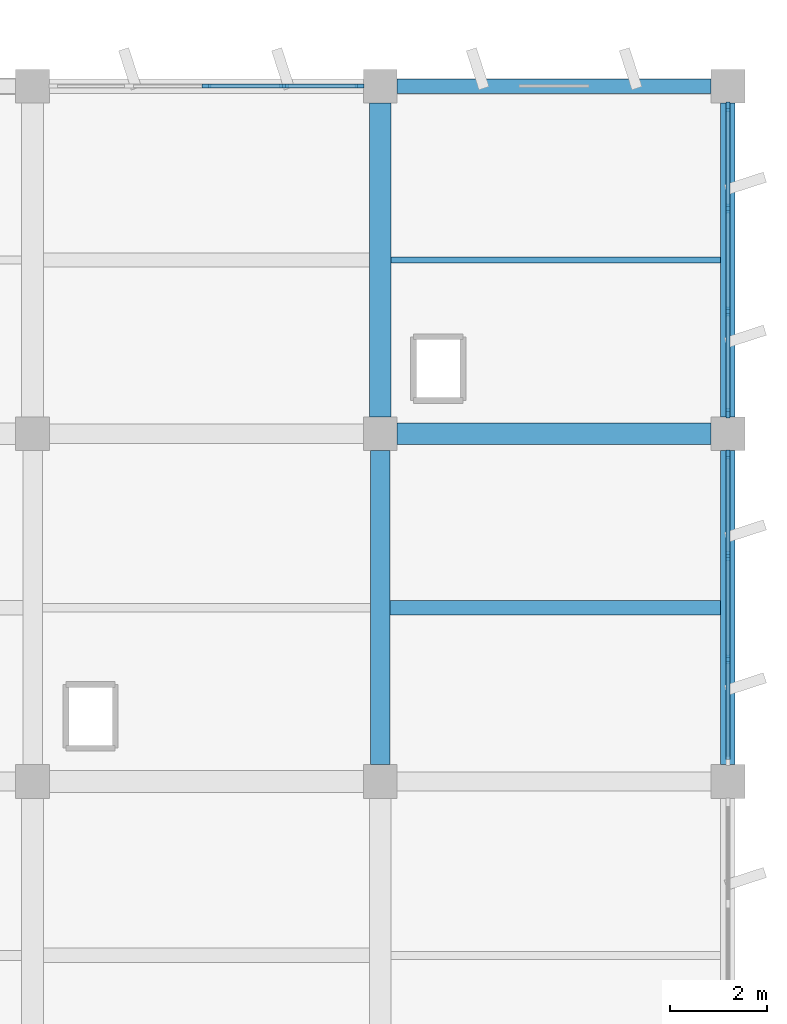
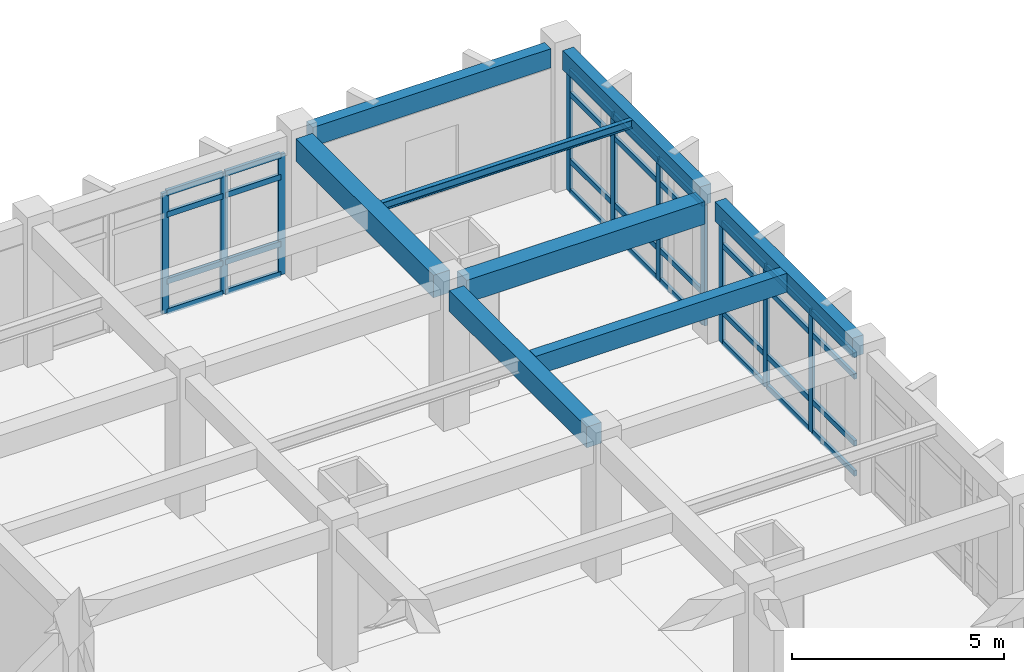
# One storey, part 28 of 70: 43 members, 7 beams, 3 elements without a shape of their own.
"""IFC4 building model written with IfcOpenShell, lengths in metres."""

from ifc_helpers import new_model, si_unit, direction, frame, origin, origin_2d, place, context, subcontext, project, spatial, rectangle, i_section, extrude, material, layer, layer_set, material_profile, profile_set, type_object, element, aggregate, save


model = new_model("IFC4")

# Units and contexts
model_context = context("Model", 3, precision=1e-05, world=origin(), true_north=direction((0.0, 1.0)))
body_context = subcontext(model_context, "Body", "Model", "MODEL_VIEW")
ifc_project = project(units=[si_unit("LENGTHUNIT", "METRE"), si_unit("AREAUNIT", "SQUARE_METRE"), si_unit("VOLUMEUNIT", "CUBIC_METRE"), si_unit("PLANEANGLEUNIT", "RADIAN"), si_unit("MASSUNIT", "GRAM", prefix="KILO")], contexts=[model_context])

# Site, building, storey
site_placement = place(None, origin())
site = spatial("IfcSite", under=ifc_project, at=site_placement, CompositionType="ELEMENT")
building_placement = place(site_placement, origin())
building = spatial("IfcBuilding", under=site, at=building_placement, Name="Kavelor Marine Aquarium", CompositionType="ELEMENT")
storey_placement = place(building_placement, frame((0.0, 0.0, 9.179931640625)))
storey = spatial("IfcBuildingStorey", under=building, at=storey_placement, Name="L02", CompositionType="ELEMENT", Elevation=9.179931640625)

# Beams
ifc_material_1 = material(Name="Concrete C40/50", Category="concrete")
ifc_material_profile_1 = material_profile(ifc_material_1, rectangle(XDim=0.449951171875, YDim=0.64990234375, at=origin_2d()), Name="RC-BM 450x650")
ifc_profile_set_1 = profile_set([ifc_material_profile_1], Name="Concrete C40/50")
beam_type_1 = type_object("IfcBeamType", Name="BM-B3", PredefinedType="BEAM", material=ifc_profile_set_1)
for number, where, z_axis, x_axis, name in (
    (1, (147.550048828125, 103.60009765625, 3.715087890625), (1.0, 0.0, 0.0), (0.0, 1.0, 0.0), "bm:x:L02:L03:20_14"),
    (2, (147.199951171875, 103.949951171875, 3.715087890625), (0.0, 1.0, 0.0), (-1.0, 0.0, 0.0), "bm:y:L02:L03:20_14"),
):
    element("IfcBeam", number, at=place(storey_placement, frame(where, z_axis=z_axis, x_axis=x_axis)), inside=storey, type_object=beam_type_1, Name=name, PredefinedType="BEAM", context=body_context, shape_type="SweptSolid", body=[
        extrude(rectangle(XDim=0.449951171875, YDim=0.64990234375, at=origin_2d()), origin(), (0.0, 0.0, 1.0), 6.5),
    ])
ifc_material_2 = material(Name="Concrete C40/50", Category="concrete")
ifc_material_profile_2 = material_profile(ifc_material_2, rectangle(XDim=0.39990234375, YDim=0.60009765625, at=origin_2d()), Name="RC-BM 400x600")
ifc_profile_set_2 = profile_set([ifc_material_profile_2], Name="Concrete C40/50")
beam_type_2 = type_object("IfcBeamType", Name="BM-B4", PredefinedType="BEAM", material=ifc_profile_set_2)
beam_1_placement = place(storey_placement, frame((147.199951171875, 96.75, 3.719970703125), z_axis=(0.0, 1.0, 0.0), x_axis=(-1.0, 0.0, 0.0)))
element("IfcBeam", 3, at=beam_1_placement, inside=storey, type_object=beam_type_2, Name="bm:y:L02:L03:20_13", PredefinedType="BEAM", context=body_context, shape_type="SweptSolid", body=[
    extrude(rectangle(XDim=0.39990234375, YDim=0.60009765625, at=origin_2d()), origin(), (0.0, 0.0, 1.0), 6.5),
])
ifc_material_3 = material(Name="Concrete C40/50", Category="concrete")
ifc_material_profile_3 = material_profile(ifc_material_3, rectangle(XDim=0.300048828125, YDim=0.550048828125, at=origin_2d()), Name="RC-JS 300x550")
ifc_profile_set_3 = profile_set([ifc_material_profile_3], Name="Concrete C40/50")
beam_type_3 = type_object("IfcBeamType", Name="BM-JS2", PredefinedType="JOIST", material=ifc_profile_set_3)
beam_2_placement = place(storey_placement, frame((147.39990234375, 100.0, 3.76513671875), z_axis=(1.0, 0.0, 0.0), x_axis=(0.0, 1.0, 0.0)))
element("IfcBeam", 4, at=beam_2_placement, inside=storey, type_object=beam_type_3, Name="js:L02:L03:20_13", PredefinedType="JOIST", context=body_context, shape_type="SweptSolid", body=[
    extrude(rectangle(XDim=0.300048828125, YDim=0.550048828125, at=origin_2d()), origin(), (0.0, 0.0, 1.0), 6.85009765625),
])
ifc_material_4 = material(Name="Concrete C40/50", Category="concrete")
ifc_material_profile_4 = material_profile(ifc_material_4, rectangle(XDim=0.300048828125, YDim=0.550048828125, at=origin_2d()), Name="RC-SP 300x550")
ifc_profile_set_4 = profile_set([ifc_material_profile_4], Name="Concrete C40/50")
beam_type_4 = type_object("IfcBeamType", Name="BM-SP2", PredefinedType="SPANDREL", material=ifc_profile_set_4)
for number, where, z_axis, x_axis, name in (
    (5, (147.550048828125, 110.800048828125, 3.76513671875), (1.0, 0.0, 0.0), (0.0, 1.0, 0.0), "bm:x:L02:L03:20_15"),
    (6, (154.39990234375, 96.75, 3.76513671875), (0.0, 1.0, 0.0), (-1.0, 0.0, 0.0), "bm:y:L02:L03:21_13"),
    (7, (154.39990234375, 103.949951171875, 3.76513671875), (0.0, 1.0, 0.0), (-1.0, 0.0, 0.0), "bm:y:L02:L03:21_14"),
):
    element("IfcBeam", number, at=place(storey_placement, frame(where, z_axis=z_axis, x_axis=x_axis)), inside=storey, type_object=beam_type_4, Name=name, PredefinedType="SPANDREL", context=body_context, shape_type="SweptSolid", body=[
        extrude(rectangle(XDim=0.300048828125, YDim=0.550048828125, at=origin_2d()), origin(), (0.0, 0.0, 1.0), 6.5),
    ])

# Curtain wall, members
ifc_material_5 = material(Name="Thermally Broken Aluminium and Low-E Glass", Category="aluminium")
ifc_layer_1 = layer(ifc_material_5, 0.22802734375)
ifc_layer_set_1 = layer_set([ifc_layer_1], Name="CW-SYS11")
curtain_wall_type_1 = type_object("IfcCurtainWallType", Name="CW-SYS11", PredefinedType="USERDEFINED", material=ifc_layer_set_1)
curtain_wall_1_placement = place(storey_placement, origin())
curtain_wall_1 = element("IfcCurtainWall", 8, at=curtain_wall_1_placement, inside=storey, type_object=curtain_wall_type_1, Name="cw:x:L02:19_15", ObjectType="Curtain Wall", PredefinedType="USERDEFINED")
ifc_material_6 = material(Name="Anodised Aluminium Alloy 6063-T6", Category="aluminium")
ifc_material_profile_5 = material_profile(ifc_material_6, rectangle(XDim=0.080078125, YDim=0.18505859375, at=origin_2d()), Name="CW-MUL 80x185")
ifc_profile_set_5 = profile_set([ifc_material_profile_5], Name="Anodised Aluminium Alloy 6063-T6")
member_type_1 = type_object("IfcMemberType", Name="CWM-2", PredefinedType="MULLION", material=ifc_profile_set_5)
member_1_placement = place(storey_placement, frame((143.60009765625, 110.800048828125, 0.0), z_axis=(0.0, 0.0, 1.0), x_axis=(0.0, 1.0, 0.0)))
member_1 = element("IfcMember", 9, at=member_1_placement, type_object=member_type_1, Name="CW11 mullion 3", PredefinedType="MULLION", context=body_context, shape_type="SweptSolid", body=[
    extrude(rectangle(XDim=0.080078125, YDim=0.18505859375, at=origin_2d()), origin(), (0.0, 0.0, 1.0), 3.47998046875),
])
member_2_placement = place(storey_placement, frame((145.202392578125, 110.800048828125, 0.0), z_axis=(0.0, 0.0, 1.0), x_axis=(0.0, 1.0, 0.0)))
member_2 = element("IfcMember", 10, at=member_2_placement, type_object=member_type_1, Name="CW11 mullion 4", PredefinedType="MULLION", context=body_context, shape_type="SweptSolid", body=[
    extrude(rectangle(XDim=0.080078125, YDim=0.18505859375, at=origin_2d()), origin(), (0.0, 0.0, 1.0), 3.47998046875),
])
member_3_placement = place(storey_placement, frame((146.7724609375, 110.800048828125, 0.0), z_axis=(0.0, 0.0, 1.0), x_axis=(0.0, 1.0, 0.0)))
member_3 = element("IfcMember", 11, at=member_3_placement, type_object=member_type_1, Name="CW11 mullion 5", PredefinedType="MULLION", context=body_context, shape_type="SweptSolid", body=[
    extrude(rectangle(XDim=0.080078125, YDim=0.18505859375, at=origin_2d()), origin(), (0.0, 0.0, 1.0), 3.47998046875),
])

ifc_material_7 = material(Name="Thermally Broken Aluminium and Low-E Glass", Category="aluminium")
ifc_layer_2 = layer(ifc_material_7, 0.300048828125)
ifc_layer_set_2 = layer_set([ifc_layer_2], Name="CW-SYS20")
curtain_wall_type_2 = type_object("IfcCurtainWallType", Name="CW-SYS20", PredefinedType="USERDEFINED", material=ifc_layer_set_2)
curtain_wall_2_placement = place(storey_placement, origin())
curtain_wall_2 = element("IfcCurtainWall", 12, at=curtain_wall_2_placement, inside=storey, type_object=curtain_wall_type_2, Name="cw:y:L02:21_13", ObjectType="Curtain Wall", PredefinedType="USERDEFINED")
member_4_placement = place(storey_placement, frame((154.39990234375, 98.931640625, 0.0), z_axis=(0.0, 0.0, 1.0), x_axis=(-1.0, 0.0, 0.0)))
member_4 = element("IfcMember", 13, at=member_4_placement, type_object=member_type_1, Name="CW20 mullion 2", PredefinedType="MULLION", context=body_context, shape_type="SweptSolid", body=[
    extrude(rectangle(XDim=0.080078125, YDim=0.18505859375, at=origin_2d()), origin(), (0.0, 0.0, 1.0), 3.47998046875),
])
member_5_placement = place(storey_placement, frame((154.39990234375, 101.068359375, 0.0), z_axis=(0.0, 0.0, 1.0), x_axis=(-1.0, 0.0, 0.0)))
member_5 = element("IfcMember", 14, at=member_5_placement, type_object=member_type_1, Name="CW20 mullion 3", PredefinedType="MULLION", context=body_context, shape_type="SweptSolid", body=[
    extrude(rectangle(XDim=0.080078125, YDim=0.18505859375, at=origin_2d()), origin(), (0.0, 0.0, 1.0), 3.47998046875),
])
member_6_placement = place(storey_placement, frame((154.39990234375, 103.172607421875, 0.0), z_axis=(0.0, 0.0, 1.0), x_axis=(-1.0, 0.0, 0.0)))
member_6 = element("IfcMember", 15, at=member_6_placement, type_object=member_type_1, Name="CW20 mullion 4", PredefinedType="MULLION", context=body_context, shape_type="SweptSolid", body=[
    extrude(rectangle(XDim=0.080078125, YDim=0.18505859375, at=origin_2d()), origin(), (0.0, 0.0, 1.0), 3.47998046875),
])

ifc_material_8 = material(Name="Thermally Broken Aluminium and Low-E Glass", Category="aluminium")
ifc_layer_3 = layer(ifc_material_8, 0.30810546875)
ifc_layer_set_3 = layer_set([ifc_layer_3], Name="CW-SYS21")
curtain_wall_type_3 = type_object("IfcCurtainWallType", Name="CW-SYS21", PredefinedType="USERDEFINED", material=ifc_layer_set_3)
curtain_wall_3_placement = place(storey_placement, origin())
curtain_wall_3 = element("IfcCurtainWall", 16, at=curtain_wall_3_placement, inside=storey, type_object=curtain_wall_type_3, Name="cw:y:L02:21_14", ObjectType="Curtain Wall", PredefinedType="USERDEFINED")
ifc_material_9 = material(Name="Anodised Aluminium Alloy 6063-T6", Category="aluminium")
ifc_material_profile_6 = material_profile(ifc_material_9, rectangle(XDim=0.0849609375, YDim=0.18994140625, at=origin_2d()), Name="CW-MUL 85x190")
ifc_profile_set_6 = profile_set([ifc_material_profile_6], Name="Anodised Aluminium Alloy 6063-T6")
member_type_2 = type_object("IfcMemberType", Name="CWM-3", PredefinedType="MULLION", material=ifc_profile_set_6)
member_7_placement = place(storey_placement, frame((154.39990234375, 104.02490234375, 0.0), z_axis=(0.0, 0.0, 1.0), x_axis=(-1.0, 0.0, 0.0)))
member_7 = element("IfcMember", 17, at=member_7_placement, type_object=member_type_2, Name="CW21 mullion 1", PredefinedType="MULLION", context=body_context, shape_type="SweptSolid", body=[
    extrude(rectangle(XDim=0.0849609375, YDim=0.18994140625, at=origin_2d()), origin(), (0.0, 0.0, 1.0), 3.47998046875),
])
member_8_placement = place(storey_placement, frame((154.39990234375, 106.131591796875, 0.0), z_axis=(0.0, 0.0, 1.0), x_axis=(-1.0, 0.0, 0.0)))
member_8 = element("IfcMember", 18, at=member_8_placement, type_object=member_type_2, Name="CW21 mullion 2", PredefinedType="MULLION", context=body_context, shape_type="SweptSolid", body=[
    extrude(rectangle(XDim=0.0849609375, YDim=0.18994140625, at=origin_2d()), origin(), (0.0, 0.0, 1.0), 3.47998046875),
])
member_9_placement = place(storey_placement, frame((154.39990234375, 108.268310546875, 0.0), z_axis=(0.0, 0.0, 1.0), x_axis=(-1.0, 0.0, 0.0)))
member_9 = element("IfcMember", 19, at=member_9_placement, type_object=member_type_2, Name="CW21 mullion 3", PredefinedType="MULLION", context=body_context, shape_type="SweptSolid", body=[
    extrude(rectangle(XDim=0.0849609375, YDim=0.18994140625, at=origin_2d()), origin(), (0.0, 0.0, 1.0), 3.47998046875),
])
member_10_placement = place(storey_placement, frame((154.39990234375, 110.375, 0.0), z_axis=(0.0, 0.0, 1.0), x_axis=(-1.0, 0.0, 0.0)))
member_10 = element("IfcMember", 20, at=member_10_placement, type_object=member_type_2, Name="CW21 mullion 4", PredefinedType="MULLION", context=body_context, shape_type="SweptSolid", body=[
    extrude(rectangle(XDim=0.0849609375, YDim=0.18994140625, at=origin_2d()), origin(), (0.0, 0.0, 1.0), 3.47998046875),
])

# Member
ifc_material_10 = material(Name="Anodised Aluminium Alloy 6063-T6", Category="aluminium")
ifc_material_profile_7 = material_profile(ifc_material_10, rectangle(XDim=0.080078125, YDim=0.155029296875, at=origin_2d()), Name="CW-TRN 80x155")
ifc_profile_set_7 = profile_set([ifc_material_profile_7], Name="Anodised Aluminium Alloy 6063-T6")
member_type_3 = type_object("IfcMemberType", Name="CWT-2", PredefinedType="USERDEFINED", material=ifc_profile_set_7)
member_11_placement = place(storey_placement, frame((154.39990234375, 96.860107421875, 0.032470703125), z_axis=(0.0, 1.0, 0.0), x_axis=(-1.0, 0.0, 0.0)))
member_11 = element("IfcMember", 21, at=member_11_placement, type_object=member_type_3, Name="CW20 transom 1.1", ObjectType="TRANSOM", PredefinedType="USERDEFINED", context=body_context, shape_type="SweptSolid", body=[
    extrude(rectangle(XDim=0.080078125, YDim=0.155029296875, at=origin_2d()), origin(), (0.0, 0.0, 1.0), 2.0390625),
])

member_12_placement = place(storey_placement, frame((154.39990234375, 96.860107421875, 0.900146484375), z_axis=(0.0, 1.0, 0.0), x_axis=(-1.0, 0.0, 0.0)))
member_12 = element("IfcMember", 22, at=member_12_placement, type_object=member_type_3, Name="CW20 transom 1.2", ObjectType="TRANSOM", PredefinedType="USERDEFINED", context=body_context, shape_type="SweptSolid", body=[
    extrude(rectangle(XDim=0.080078125, YDim=0.155029296875, at=origin_2d()), origin(), (0.0, 0.0, 1.0), 2.0390625),
])

member_13_placement = place(storey_placement, frame((154.39990234375, 96.860107421875, 2.830078125), z_axis=(0.0, 1.0, 0.0), x_axis=(-1.0, 0.0, 0.0)))
member_13 = element("IfcMember", 23, at=member_13_placement, type_object=member_type_3, Name="CW20 transom 1.3", ObjectType="TRANSOM", PredefinedType="USERDEFINED", context=body_context, shape_type="SweptSolid", body=[
    extrude(rectangle(XDim=0.080078125, YDim=0.155029296875, at=origin_2d()), origin(), (0.0, 0.0, 1.0), 2.0390625),
])

member_14_placement = place(storey_placement, frame((154.39990234375, 96.860107421875, 3.447509765625), z_axis=(0.0, 1.0, 0.0), x_axis=(-1.0, 0.0, 0.0)))
member_14 = element("IfcMember", 24, at=member_14_placement, type_object=member_type_3, Name="CW20 transom 1.4", ObjectType="TRANSOM", PredefinedType="USERDEFINED", context=body_context, shape_type="SweptSolid", body=[
    extrude(rectangle(XDim=0.080078125, YDim=0.155029296875, at=origin_2d()), origin(), (0.0, 0.0, 1.0), 2.0390625),
])

member_15_placement = place(storey_placement, frame((154.39990234375, 98.964111328125, 0.032470703125), z_axis=(0.0, 1.0, 0.0), x_axis=(-1.0, 0.0, 0.0)))
member_15 = element("IfcMember", 25, at=member_15_placement, type_object=member_type_3, Name="CW20 transom 2.1", ObjectType="TRANSOM", PredefinedType="USERDEFINED", context=body_context, shape_type="SweptSolid", body=[
    extrude(rectangle(XDim=0.080078125, YDim=0.155029296875, at=origin_2d()), origin(), (0.0, 0.0, 1.0), 2.07177734375),
])

member_16_placement = place(storey_placement, frame((154.39990234375, 98.964111328125, 0.900146484375), z_axis=(0.0, 1.0, 0.0), x_axis=(-1.0, 0.0, 0.0)))
member_16 = element("IfcMember", 26, at=member_16_placement, type_object=member_type_3, Name="CW20 transom 2.2", ObjectType="TRANSOM", PredefinedType="USERDEFINED", context=body_context, shape_type="SweptSolid", body=[
    extrude(rectangle(XDim=0.080078125, YDim=0.155029296875, at=origin_2d()), origin(), (0.0, 0.0, 1.0), 2.07177734375),
])

member_17_placement = place(storey_placement, frame((154.39990234375, 98.964111328125, 2.830078125), z_axis=(0.0, 1.0, 0.0), x_axis=(-1.0, 0.0, 0.0)))
member_17 = element("IfcMember", 27, at=member_17_placement, type_object=member_type_3, Name="CW20 transom 2.3", ObjectType="TRANSOM", PredefinedType="USERDEFINED", context=body_context, shape_type="SweptSolid", body=[
    extrude(rectangle(XDim=0.080078125, YDim=0.155029296875, at=origin_2d()), origin(), (0.0, 0.0, 1.0), 2.07177734375),
])

member_18_placement = place(storey_placement, frame((154.39990234375, 98.964111328125, 3.447509765625), z_axis=(0.0, 1.0, 0.0), x_axis=(-1.0, 0.0, 0.0)))
member_18 = element("IfcMember", 28, at=member_18_placement, type_object=member_type_3, Name="CW20 transom 2.4", ObjectType="TRANSOM", PredefinedType="USERDEFINED", context=body_context, shape_type="SweptSolid", body=[
    extrude(rectangle(XDim=0.080078125, YDim=0.155029296875, at=origin_2d()), origin(), (0.0, 0.0, 1.0), 2.07177734375),
])

member_19_placement = place(storey_placement, frame((154.39990234375, 101.100830078125, 0.032470703125), z_axis=(0.0, 1.0, 0.0), x_axis=(-1.0, 0.0, 0.0)))
member_19 = element("IfcMember", 29, at=member_19_placement, type_object=member_type_3, Name="CW20 transom 3.1", ObjectType="TRANSOM", PredefinedType="USERDEFINED", context=body_context, shape_type="SweptSolid", body=[
    extrude(rectangle(XDim=0.080078125, YDim=0.155029296875, at=origin_2d()), origin(), (0.0, 0.0, 1.0), 2.0390625),
])

member_20_placement = place(storey_placement, frame((154.39990234375, 101.100830078125, 0.900146484375), z_axis=(0.0, 1.0, 0.0), x_axis=(-1.0, 0.0, 0.0)))
member_20 = element("IfcMember", 30, at=member_20_placement, type_object=member_type_3, Name="CW20 transom 3.2", ObjectType="TRANSOM", PredefinedType="USERDEFINED", context=body_context, shape_type="SweptSolid", body=[
    extrude(rectangle(XDim=0.080078125, YDim=0.155029296875, at=origin_2d()), origin(), (0.0, 0.0, 1.0), 2.0390625),
])

member_21_placement = place(storey_placement, frame((154.39990234375, 101.100830078125, 2.830078125), z_axis=(0.0, 1.0, 0.0), x_axis=(-1.0, 0.0, 0.0)))
member_21 = element("IfcMember", 31, at=member_21_placement, type_object=member_type_3, Name="CW20 transom 3.3", ObjectType="TRANSOM", PredefinedType="USERDEFINED", context=body_context, shape_type="SweptSolid", body=[
    extrude(rectangle(XDim=0.080078125, YDim=0.155029296875, at=origin_2d()), origin(), (0.0, 0.0, 1.0), 2.0390625),
])

member_22_placement = place(storey_placement, frame((154.39990234375, 101.100830078125, 3.447509765625), z_axis=(0.0, 1.0, 0.0), x_axis=(-1.0, 0.0, 0.0)))
member_22 = element("IfcMember", 32, at=member_22_placement, type_object=member_type_3, Name="CW20 transom 3.4", ObjectType="TRANSOM", PredefinedType="USERDEFINED", context=body_context, shape_type="SweptSolid", body=[
    extrude(rectangle(XDim=0.080078125, YDim=0.155029296875, at=origin_2d()), origin(), (0.0, 0.0, 1.0), 2.0390625),
])

aggregate(curtain_wall_2, [member_4, member_5, member_6, member_11, member_12, member_13, member_14, member_15, member_16, member_17, member_18, member_19, member_20, member_21, member_22])

member_23_placement = place(storey_placement, frame((154.39990234375, 104.054931640625, 0.032470703125), z_axis=(0.0, 1.0, 0.0), x_axis=(-1.0, 0.0, 0.0)))
member_23 = element("IfcMember", 33, at=member_23_placement, type_object=member_type_3, Name="CW21 transom 1.1", ObjectType="TRANSOM", PredefinedType="USERDEFINED", context=body_context, shape_type="SweptSolid", body=[
    extrude(rectangle(XDim=0.080078125, YDim=0.155029296875, at=origin_2d()), origin(), (0.0, 0.0, 1.0), 2.046630859375),
])

member_24_placement = place(storey_placement, frame((154.39990234375, 104.054931640625, 0.900146484375), z_axis=(0.0, 1.0, 0.0), x_axis=(-1.0, 0.0, 0.0)))
member_24 = element("IfcMember", 34, at=member_24_placement, type_object=member_type_3, Name="CW21 transom 1.2", ObjectType="TRANSOM", PredefinedType="USERDEFINED", context=body_context, shape_type="SweptSolid", body=[
    extrude(rectangle(XDim=0.080078125, YDim=0.155029296875, at=origin_2d()), origin(), (0.0, 0.0, 1.0), 2.046630859375),
])

member_25_placement = place(storey_placement, frame((154.39990234375, 104.054931640625, 2.830078125), z_axis=(0.0, 1.0, 0.0), x_axis=(-1.0, 0.0, 0.0)))
member_25 = element("IfcMember", 35, at=member_25_placement, type_object=member_type_3, Name="CW21 transom 1.3", ObjectType="TRANSOM", PredefinedType="USERDEFINED", context=body_context, shape_type="SweptSolid", body=[
    extrude(rectangle(XDim=0.080078125, YDim=0.155029296875, at=origin_2d()), origin(), (0.0, 0.0, 1.0), 2.046630859375),
])

member_26_placement = place(storey_placement, frame((154.39990234375, 104.054931640625, 3.447509765625), z_axis=(0.0, 1.0, 0.0), x_axis=(-1.0, 0.0, 0.0)))
member_26 = element("IfcMember", 36, at=member_26_placement, type_object=member_type_3, Name="CW21 transom 1.4", ObjectType="TRANSOM", PredefinedType="USERDEFINED", context=body_context, shape_type="SweptSolid", body=[
    extrude(rectangle(XDim=0.080078125, YDim=0.155029296875, at=origin_2d()), origin(), (0.0, 0.0, 1.0), 2.046630859375),
])

member_27_placement = place(storey_placement, frame((154.39990234375, 106.16162109375, 0.032470703125), z_axis=(0.0, 1.0, 0.0), x_axis=(-1.0, 0.0, 0.0)))
member_27 = element("IfcMember", 37, at=member_27_placement, type_object=member_type_3, Name="CW21 transom 2.1", ObjectType="TRANSOM", PredefinedType="USERDEFINED", context=body_context, shape_type="SweptSolid", body=[
    extrude(rectangle(XDim=0.080078125, YDim=0.155029296875, at=origin_2d()), origin(), (0.0, 0.0, 1.0), 2.07666015625),
])

member_28_placement = place(storey_placement, frame((154.39990234375, 106.16162109375, 0.900146484375), z_axis=(0.0, 1.0, 0.0), x_axis=(-1.0, 0.0, 0.0)))
member_28 = element("IfcMember", 38, at=member_28_placement, type_object=member_type_3, Name="CW21 transom 2.2", ObjectType="TRANSOM", PredefinedType="USERDEFINED", context=body_context, shape_type="SweptSolid", body=[
    extrude(rectangle(XDim=0.080078125, YDim=0.155029296875, at=origin_2d()), origin(), (0.0, 0.0, 1.0), 2.07666015625),
])

member_29_placement = place(storey_placement, frame((154.39990234375, 106.16162109375, 2.830078125), z_axis=(0.0, 1.0, 0.0), x_axis=(-1.0, 0.0, 0.0)))
member_29 = element("IfcMember", 39, at=member_29_placement, type_object=member_type_3, Name="CW21 transom 2.3", ObjectType="TRANSOM", PredefinedType="USERDEFINED", context=body_context, shape_type="SweptSolid", body=[
    extrude(rectangle(XDim=0.080078125, YDim=0.155029296875, at=origin_2d()), origin(), (0.0, 0.0, 1.0), 2.07666015625),
])

member_30_placement = place(storey_placement, frame((154.39990234375, 106.16162109375, 3.447509765625), z_axis=(0.0, 1.0, 0.0), x_axis=(-1.0, 0.0, 0.0)))
member_30 = element("IfcMember", 40, at=member_30_placement, type_object=member_type_3, Name="CW21 transom 2.4", ObjectType="TRANSOM", PredefinedType="USERDEFINED", context=body_context, shape_type="SweptSolid", body=[
    extrude(rectangle(XDim=0.080078125, YDim=0.155029296875, at=origin_2d()), origin(), (0.0, 0.0, 1.0), 2.07666015625),
])

member_31_placement = place(storey_placement, frame((154.39990234375, 108.29833984375, 0.032470703125), z_axis=(0.0, 1.0, 0.0), x_axis=(-1.0, 0.0, 0.0)))
member_31 = element("IfcMember", 41, at=member_31_placement, type_object=member_type_3, Name="CW21 transom 3.1", ObjectType="TRANSOM", PredefinedType="USERDEFINED", context=body_context, shape_type="SweptSolid", body=[
    extrude(rectangle(XDim=0.080078125, YDim=0.155029296875, at=origin_2d()), origin(), (0.0, 0.0, 1.0), 2.046630859375),
])

member_32_placement = place(storey_placement, frame((154.39990234375, 108.29833984375, 0.900146484375), z_axis=(0.0, 1.0, 0.0), x_axis=(-1.0, 0.0, 0.0)))
member_32 = element("IfcMember", 42, at=member_32_placement, type_object=member_type_3, Name="CW21 transom 3.2", ObjectType="TRANSOM", PredefinedType="USERDEFINED", context=body_context, shape_type="SweptSolid", body=[
    extrude(rectangle(XDim=0.080078125, YDim=0.155029296875, at=origin_2d()), origin(), (0.0, 0.0, 1.0), 2.046630859375),
])

member_33_placement = place(storey_placement, frame((154.39990234375, 108.29833984375, 2.830078125), z_axis=(0.0, 1.0, 0.0), x_axis=(-1.0, 0.0, 0.0)))
member_33 = element("IfcMember", 43, at=member_33_placement, type_object=member_type_3, Name="CW21 transom 3.3", ObjectType="TRANSOM", PredefinedType="USERDEFINED", context=body_context, shape_type="SweptSolid", body=[
    extrude(rectangle(XDim=0.080078125, YDim=0.155029296875, at=origin_2d()), origin(), (0.0, 0.0, 1.0), 2.046630859375),
])

member_34_placement = place(storey_placement, frame((154.39990234375, 108.29833984375, 3.447509765625), z_axis=(0.0, 1.0, 0.0), x_axis=(-1.0, 0.0, 0.0)))
member_34 = element("IfcMember", 44, at=member_34_placement, type_object=member_type_3, Name="CW21 transom 3.4", ObjectType="TRANSOM", PredefinedType="USERDEFINED", context=body_context, shape_type="SweptSolid", body=[
    extrude(rectangle(XDim=0.080078125, YDim=0.155029296875, at=origin_2d()), origin(), (0.0, 0.0, 1.0), 2.046630859375),
])

aggregate(curtain_wall_3, [member_7, member_8, member_9, member_10, member_23, member_24, member_25, member_26, member_27, member_28, member_29, member_30, member_31, member_32, member_33, member_34])

ifc_material_11 = material(Name="Anodised Aluminium Alloy 6063-T6", Category="aluminium")
ifc_material_profile_8 = material_profile(ifc_material_11, rectangle(XDim=0.0849609375, YDim=0.159912109375, at=origin_2d()), Name="CW-TRN 85x160")
ifc_profile_set_8 = profile_set([ifc_material_profile_8], Name="Anodised Aluminium Alloy 6063-T6")
member_type_4 = type_object("IfcMemberType", Name="CWT-3", PredefinedType="USERDEFINED", material=ifc_profile_set_8)
member_35_placement = place(storey_placement, frame((143.632568359375, 110.800048828125, 0.030029296875), z_axis=(1.0, 0.0, 0.0), x_axis=(0.0, 1.0, 0.0)))
member_35 = element("IfcMember", 45, at=member_35_placement, type_object=member_type_4, Name="CW11 transom 3.1", ObjectType="TRANSOM", PredefinedType="USERDEFINED", context=body_context, shape_type="SweptSolid", body=[
    extrude(rectangle(XDim=0.0849609375, YDim=0.159912109375, at=origin_2d()), origin(), (0.0, 0.0, 1.0), 1.537353515625),
])

member_36_placement = place(storey_placement, frame((143.632568359375, 110.800048828125, 0.900146484375), z_axis=(1.0, 0.0, 0.0), x_axis=(0.0, 1.0, 0.0)))
member_36 = element("IfcMember", 46, at=member_36_placement, type_object=member_type_4, Name="CW11 transom 3.2", ObjectType="TRANSOM", PredefinedType="USERDEFINED", context=body_context, shape_type="SweptSolid", body=[
    extrude(rectangle(XDim=0.0849609375, YDim=0.159912109375, at=origin_2d()), origin(), (0.0, 0.0, 1.0), 1.537353515625),
])

member_37_placement = place(storey_placement, frame((143.632568359375, 110.800048828125, 2.830078125), z_axis=(1.0, 0.0, 0.0), x_axis=(0.0, 1.0, 0.0)))
member_37 = element("IfcMember", 47, at=member_37_placement, type_object=member_type_4, Name="CW11 transom 3.3", ObjectType="TRANSOM", PredefinedType="USERDEFINED", context=body_context, shape_type="SweptSolid", body=[
    extrude(rectangle(XDim=0.0849609375, YDim=0.159912109375, at=origin_2d()), origin(), (0.0, 0.0, 1.0), 1.537353515625),
])

member_38_placement = place(storey_placement, frame((143.632568359375, 110.800048828125, 3.449951171875), z_axis=(1.0, 0.0, 0.0), x_axis=(0.0, 1.0, 0.0)))
member_38 = element("IfcMember", 48, at=member_38_placement, type_object=member_type_4, Name="CW11 transom 3.4", ObjectType="TRANSOM", PredefinedType="USERDEFINED", context=body_context, shape_type="SweptSolid", body=[
    extrude(rectangle(XDim=0.0849609375, YDim=0.159912109375, at=origin_2d()), origin(), (0.0, 0.0, 1.0), 1.537353515625),
])

member_39_placement = place(storey_placement, frame((145.235107421875, 110.800048828125, 0.030029296875), z_axis=(1.0, 0.0, 0.0), x_axis=(0.0, 1.0, 0.0)))
member_39 = element("IfcMember", 49, at=member_39_placement, type_object=member_type_4, Name="CW11 transom 4.1", ObjectType="TRANSOM", PredefinedType="USERDEFINED", context=body_context, shape_type="SweptSolid", body=[
    extrude(rectangle(XDim=0.0849609375, YDim=0.159912109375, at=origin_2d()), origin(), (0.0, 0.0, 1.0), 1.5048828125),
])

member_40_placement = place(storey_placement, frame((145.235107421875, 110.800048828125, 0.900146484375), z_axis=(1.0, 0.0, 0.0), x_axis=(0.0, 1.0, 0.0)))
member_40 = element("IfcMember", 50, at=member_40_placement, type_object=member_type_4, Name="CW11 transom 4.2", ObjectType="TRANSOM", PredefinedType="USERDEFINED", context=body_context, shape_type="SweptSolid", body=[
    extrude(rectangle(XDim=0.0849609375, YDim=0.159912109375, at=origin_2d()), origin(), (0.0, 0.0, 1.0), 1.5048828125),
])

member_41_placement = place(storey_placement, frame((145.235107421875, 110.800048828125, 2.830078125), z_axis=(1.0, 0.0, 0.0), x_axis=(0.0, 1.0, 0.0)))
member_41 = element("IfcMember", 51, at=member_41_placement, type_object=member_type_4, Name="CW11 transom 4.3", ObjectType="TRANSOM", PredefinedType="USERDEFINED", context=body_context, shape_type="SweptSolid", body=[
    extrude(rectangle(XDim=0.0849609375, YDim=0.159912109375, at=origin_2d()), origin(), (0.0, 0.0, 1.0), 1.5048828125),
])

member_42_placement = place(storey_placement, frame((145.235107421875, 110.800048828125, 3.449951171875), z_axis=(1.0, 0.0, 0.0), x_axis=(0.0, 1.0, 0.0)))
member_42 = element("IfcMember", 52, at=member_42_placement, type_object=member_type_4, Name="CW11 transom 4.4", ObjectType="TRANSOM", PredefinedType="USERDEFINED", context=body_context, shape_type="SweptSolid", body=[
    extrude(rectangle(XDim=0.0849609375, YDim=0.159912109375, at=origin_2d()), origin(), (0.0, 0.0, 1.0), 1.5048828125),
])

aggregate(curtain_wall_1, [member_1, member_2, member_3, member_35, member_36, member_37, member_38, member_39, member_40, member_41, member_42])

ifc_material_12 = material(Name="Steel S355", Category="steel")
ifc_material_profile_9 = material_profile(ifc_material_12, i_section(OverallWidth=0.1201171875, OverallDepth=0.239990234375, WebThickness=0.006103515625, FlangeThickness=0.009765625, FilletRadius=0.014892578125, at=origin_2d()), Name="IPE 240")
ifc_profile_set_9 = profile_set([ifc_material_profile_9], Name="Steel S355")
member_type_5 = type_object("IfcMemberType", Name="PR-SJ5", PredefinedType="PURLIN", material=ifc_profile_set_9)
member_43_placement = place(storey_placement, frame((147.425048828125, 107.199951171875, 3.920166015625), z_axis=(1.0, 0.0, 0.0), x_axis=(0.0, 1.0, 0.0)))
element("IfcMember", 53, at=member_43_placement, inside=storey, type_object=member_type_5, Name="js:L02:L03:20_14", PredefinedType="PURLIN", context=body_context, shape_type="SweptSolid", body=[
    extrude(i_section(OverallWidth=0.1201171875, OverallDepth=0.239990234375, WebThickness=0.006103515625, FlangeThickness=0.009765625, FilletRadius=0.014892578125, at=origin_2d()), origin(), (0.0, 0.0, 1.0), 6.824951171875),
])

save(model, "model.ifc")
